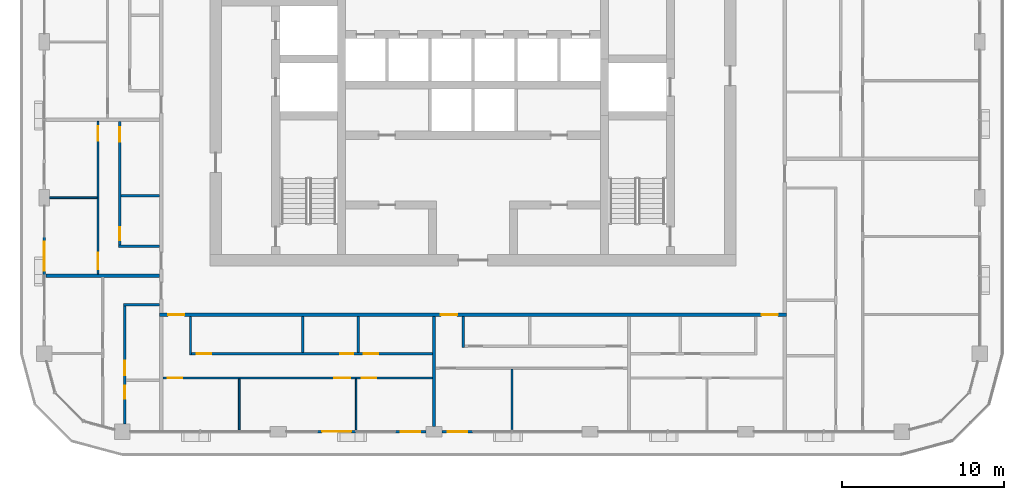
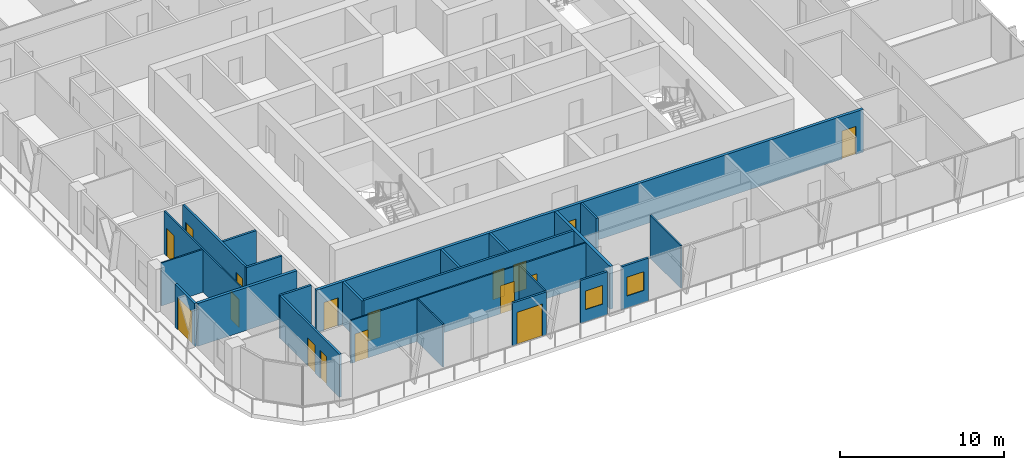
# One storey, part 9 of 22: 23 walls, 17 doors, 2 windows, 19 openings.
"""IFC4 building model written with IfcOpenShell, lengths in metres."""

import ifcopenshell
import ifcopenshell.guid

model = None  # the IFC model being written
_history = None  # IfcOwnerHistory: only IFC2X3 demands one
_inside = {}  # id of a spatial element -> (the spatial element, [elements in it])
_under = {}  # id of a project, library or spatial element -> (it, [spatial elements below it])
_declared = {}  # id of a project -> (the project, [libraries it declares])
_typed = {}  # id of a type object -> (the type object, [elements of that type])
_made_of = {}  # id of a material, layer set ... -> (it, [elements and type objects made of it])


def new_model(schema):
    """Start an empty IFC model of exactly this schema.

    Asked for "IFC4X3", IfcOpenShell would pick the latest addendum, in which some entities
    have other attributes; the version numbers below select the first issue.
    IFC2X3 requires an IfcOwnerHistory on every rooted entity: one is made here for all.
    """
    global model, _history
    if schema == "IFC4X3":
        model = ifcopenshell.file(schema_version=(4, 3, 0, 0))
    else:
        model = ifcopenshell.file(schema=schema)
    _inside.clear()
    _under.clear()
    _declared.clear()
    _typed.clear()
    _made_of.clear()
    _history = None
    if model.schema == "IFC2X3":
        org = make("IfcOrganization", Name="unknown")
        user = make(
            "IfcPersonAndOrganization",
            ThePerson=make("IfcPerson", FamilyName="unknown"),
            TheOrganization=org,
        )
        app = make(
            "IfcApplication",
            ApplicationDeveloper=org,
            Version="unknown",
            ApplicationFullName="unknown",
            ApplicationIdentifier="unknown",
        )
        _history = make(
            "IfcOwnerHistory",
            OwningUser=user,
            OwningApplication=app,
            ChangeAction="ADDED",
            CreationDate=0,
        )
    return model


def make(cls, **values):
    """One entity of the class cls with the attributes given. An attribute that is None is left unset."""
    return model.create_entity(
        cls, **{name: value for name, value in values.items() if value is not None}
    )


def rooted(cls, **values):
    """An entity with a GlobalId (a new one), such as an element, a storey or a relation."""
    return make(cls, GlobalId=ifcopenshell.guid.new(), OwnerHistory=_history, **values)


def si_unit(unit_type, name, prefix=None):
    """IfcSIUnit, for example si_unit("LENGTHUNIT", "METRE", prefix="MILLI")."""
    return make("IfcSIUnit", UnitType=unit_type, Prefix=prefix, Name=name)


def assignment(units):
    """IfcUnitAssignment: the units of a project."""
    return None if units is None else make("IfcUnitAssignment", Units=units)


def point(xyz):
    """IfcCartesianPoint."""
    return None if xyz is None else make("IfcCartesianPoint", Coordinates=xyz)


def direction(xyz):
    """IfcDirection."""
    return None if xyz is None else make("IfcDirection", DirectionRatios=xyz)


def frame(location, z_axis=None, x_axis=None):
    """IfcAxis2Placement3D, a coordinate frame: its origin and axes. An axis left out is left unset."""
    return make(
        "IfcAxis2Placement3D",
        Location=point(location),
        Axis=direction(z_axis),
        RefDirection=direction(x_axis),
    )


def frame_2d(location, x_axis=None):
    """IfcAxis2Placement2D, a coordinate frame in the plane: its origin and x axis."""
    return make(
        "IfcAxis2Placement2D", Location=point(location), RefDirection=direction(x_axis)
    )


def origin():
    """The frame at (0, 0, 0) with its axes left unset."""
    return frame((0.0, 0.0, 0.0))


def place(relative_to, where):
    """IfcLocalPlacement: puts the frame where relative to a parent placement (None: the world)."""
    return make(
        "IfcLocalPlacement", PlacementRelTo=relative_to, RelativePlacement=where
    )


def context(
    kind, dimensions, precision=None, world=None, true_north=None, identifier=None
):
    """IfcGeometricRepresentationContext, for example the 3D "Model" context."""
    return make(
        "IfcGeometricRepresentationContext",
        ContextIdentifier=identifier,
        ContextType=kind,
        CoordinateSpaceDimension=dimensions,
        Precision=precision,
        WorldCoordinateSystem=world,
        TrueNorth=true_north,
    )


def subcontext(parent, identifier, kind, view, scale=None):
    """IfcGeometricRepresentationSubContext, for example "Body" below "Model"."""
    return make(
        "IfcGeometricRepresentationSubContext",
        ContextIdentifier=identifier,
        ContextType=kind,
        ParentContext=parent,
        TargetScale=scale,
        TargetView=view,
    )


def project(units=None, contexts=None):
    """IfcProject with its units and contexts."""
    return rooted(
        "IfcProject",
        Name="project",
        RepresentationContexts=contexts,
        UnitsInContext=assignment(units),
    )


def spatial(cls, under=None, at=None, **own):
    """A site, building, storey or space (cls), placed at a placement, below another one or the project."""
    s = rooted(cls, ObjectPlacement=at, **own)
    if under is not None:
        _under.setdefault(under.id(), (under, []))[1].append(s)
    return s


def profile(cls, at=None, kind="AREA", **sizes):
    """A parametric profile (cls). Its sizes go by their IFC names, for example OverallWidth=200.0."""
    return make(cls, ProfileType=kind, Position=at, **sizes)


def rectangle(**sizes):
    """IfcRectangleProfileDef."""
    return profile("IfcRectangleProfileDef", **sizes)


def extrude(swept, where, along, depth):
    """IfcExtrudedAreaSolid: the profile swept, set in the frame where, extruded along a direction by depth."""
    return make(
        "IfcExtrudedAreaSolid",
        SweptArea=swept,
        Position=where,
        ExtrudedDirection=direction(along),
        Depth=depth,
    )


def shape(context_of_items, identifier, shape_type, items):
    """IfcShapeRepresentation: the items that make up one representation, for example the "Body"."""
    return make(
        "IfcShapeRepresentation",
        ContextOfItems=context_of_items,
        RepresentationIdentifier=identifier,
        RepresentationType=shape_type,
        Items=items,
    )


def material(Name=None, Category=None):
    """IfcMaterial."""
    return make("IfcMaterial", Name=Name, Category=Category)


def layer(
    of_material, thickness, ventilated=None, Name=None, Category=None, Priority=None
):
    """IfcMaterialLayer: one layer of a wall or slab, of a material (None: an air gap)."""
    return make(
        "IfcMaterialLayer",
        Material=of_material,
        LayerThickness=thickness,
        IsVentilated=ventilated,
        Name=Name,
        Category=Category,
        Priority=Priority,
    )


def layer_set(layers, Name=None):
    """IfcMaterialLayerSet."""
    return make("IfcMaterialLayerSet", MaterialLayers=layers, LayerSetName=Name)


def made_of(thing, what):
    """Note that an element or type object is made of a material, layer set ...; save() writes the relation."""
    if what is not None:
        _made_of.setdefault(what.id(), (what, []))[1].append(thing)
    return thing


def type_object(cls, material=None, **own):
    """A type object (cls), such as IfcWallType, which elements share."""
    return made_of(rooted(cls, **own), material)


def element(
    cls,
    number,
    at=None,
    inside=None,
    cuts=None,
    type_object=None,
    material=None,
    context=None,
    identifier="Body",
    shape_type=None,
    held_by="IfcProductDefinitionShape",
    body=None,
    shapes=None,
    **own,
):
    """One element of the class cls, such as IfcWall. Its Tag is "e" and its number.

    at: its placement. inside: the storey or other place that contains it. cuts: it is an
    opening in that element (IfcRelVoidsElement). A single representation is given by context,
    identifier, shape_type and body (its items); several are given by shapes. held_by: the class
    of the entity that holds the representations. save() writes the other relations.
    """
    e = rooted(cls, Tag="e%d" % number, ObjectPlacement=at, **own)
    if body is not None:
        shapes = [shape(context, identifier, shape_type, body)]
    if shapes is not None:
        e.Representation = make(held_by, Representations=shapes)
    if inside is not None:
        _inside.setdefault(inside.id(), (inside, []))[1].append(e)
    if cuts is not None:
        rooted(
            "IfcRelVoidsElement", RelatingBuildingElement=cuts, RelatedOpeningElement=e
        )
    if type_object is not None:
        _typed.setdefault(type_object.id(), (type_object, []))[1].append(e)
    return made_of(e, material)


def fill(opening, filler):
    """IfcRelFillsElement: the door or window that sits in an opening."""
    return rooted(
        "IfcRelFillsElement",
        RelatingOpeningElement=opening,
        RelatedBuildingElement=filler,
    )


def aggregate(whole, parts):
    """IfcRelAggregates: a whole, such as a stair, and the parts it consists of."""
    return rooted("IfcRelAggregates", RelatingObject=whole, RelatedObjects=parts)


def save(model, path):
    """Write the relations noted so far, then the file.

    IfcRelAggregates (storeys below a building ...), IfcRelContainedInSpatialStructure (elements
    in a storey), IfcRelDefinesByType, IfcRelAssociatesMaterial and IfcRelDeclares: one each for
    every whole, place, type object, material and project.
    """
    for whole, parts in _under.values():
        aggregate(whole, parts)
    for where, things in _inside.values():
        rooted(
            "IfcRelContainedInSpatialStructure",
            RelatedElements=things,
            RelatingStructure=where,
        )
    for kind, things in _typed.values():
        rooted("IfcRelDefinesByType", RelatedObjects=things, RelatingType=kind)
    for what, things in _made_of.values():
        rooted("IfcRelAssociatesMaterial", RelatedObjects=things, RelatingMaterial=what)
    for by, libraries in _declared.values():
        rooted("IfcRelDeclares", RelatingContext=by, RelatedDefinitions=libraries)
    model.write(path)


model = new_model("IFC4")

# Units and contexts
model_context = context("Model", 3, precision=1e-05, world=origin(), true_north=direction((0.0, 1.0)))
body_context = subcontext(model_context, "Body", "Model", "MODEL_VIEW")
ifc_project = project(units=[si_unit("LENGTHUNIT", "METRE"), si_unit("AREAUNIT", "SQUARE_METRE"), si_unit("VOLUMEUNIT", "CUBIC_METRE"), si_unit("PLANEANGLEUNIT", "RADIAN"), si_unit("MASSUNIT", "GRAM", prefix="KILO")], contexts=[model_context])

# Site, building, storey
site_placement = place(None, origin())
site = spatial("IfcSite", under=ifc_project, at=site_placement, CompositionType="ELEMENT")
building_placement = place(site_placement, origin())
building = spatial("IfcBuilding", under=site, at=building_placement, Name="Madar Terraces", CompositionType="ELEMENT")
storey_placement = place(building_placement, frame((0.0, 0.0, 208.800048828125)))
storey = spatial("IfcBuildingStorey", under=building, at=storey_placement, Name="L54", CompositionType="ELEMENT", Elevation=208.800048828125)

# Wall, opening, door
ifc_material_1 = material(Name="Aluminium composite panel, black, over insulated backing", Category="aluminium")
ifc_layer_1 = layer(ifc_material_1, 0.14990234375)
ifc_layer_set_1 = layer_set([ifc_layer_1], Name="Facade bay panel 150")
wall_type_1 = type_object("IfcWallType", Name="Facade bay panel 150", PredefinedType="SOLIDWALL", material=ifc_layer_set_1)
wall_1_placement = place(storey_placement, frame((21.60009765625, 4.800048828125, 0.0), z_axis=(0.0, 0.0, 1.0), x_axis=(1.0, 0.0, 0.0)))
wall_1 = element("IfcWall", 1, at=wall_1_placement, inside=storey, type_object=wall_type_1, Name="Facade bay panel", PredefinedType="SOLIDWALL", context=body_context, shape_type="SweptSolid", body=[
    extrude(rectangle(XDim=2.39990234375, YDim=0.14990234375, at=frame_2d((1.199951171875, 0.0))), origin(), (0.0, 0.0, 1.0), 3.199951171875),
])
opening_1_placement = place(wall_1_placement, frame((0.300048828125, 0.0, 0.0)))
opening_1 = element("IfcOpeningElement", 2, at=opening_1_placement, cuts=wall_1, Name="Opening ED1", PredefinedType="OPENING", context=body_context, shape_type="SweptSolid", body=[
    extrude(rectangle(XDim=1.800048828125, YDim=2.39990234375, at=frame_2d((0.89990234375, 1.199951171875))), frame((0.0, 0.0849609375, 0.0), z_axis=(0.0, -1.0, 0.0), x_axis=(1.0, 0.0, 0.0)), (0.0, 0.0, 1.0), 0.169921875),
])
ifc_material_2 = material(Name="Glass, clear, with black aluminium frame", Category="aluminium")
door_type_1 = type_object("IfcDoorType", Name="Balcony and terrace sliding door 1800 x 2400", OperationType="SLIDING_TO_LEFT", PredefinedType="DOOR", material=ifc_material_2)
door_1_placement = place(opening_1_placement, origin())
door_1 = element("IfcDoor", 3, at=door_1_placement, inside=storey, type_object=door_type_1, Name="Balcony door", OperationType="SLIDING_TO_LEFT", OverallHeight=2.39990234375, OverallWidth=1.800048828125, PredefinedType="DOOR", context=body_context, shape_type="SweptSolid", body=[
    extrude(rectangle(XDim=1.800048828125, YDim=2.39990234375, at=frame_2d((0.89990234375, 1.199951171875))), frame((0.0, 0.02490234375, 0.0), z_axis=(0.0, -1.0, 0.0), x_axis=(1.0, 0.0, 0.0)), (0.0, 0.0, 1.0), 0.050048828125),
])
fill(opening_1, door_1)

# Wall, opening, window
wall_2_placement = place(storey_placement, frame((26.39990234375, 4.800048828125, 0.0), z_axis=(0.0, 0.0, 1.0), x_axis=(1.0, 0.0, 0.0)))
wall_2 = element("IfcWall", 4, at=wall_2_placement, inside=storey, type_object=wall_type_1, Name="Facade bay panel", PredefinedType="SOLIDWALL", context=body_context, shape_type="SweptSolid", body=[
    extrude(rectangle(XDim=1.900146484375, YDim=0.14990234375, at=frame_2d((0.9501953125, 0.0))), origin(), (0.0, 0.0, 1.0), 3.199951171875),
])
opening_2_placement = place(wall_2_placement, frame((0.35009765625, 0.0, 0.89990234375)))
opening_2 = element("IfcOpeningElement", 5, at=opening_2_placement, cuts=wall_2, Name="Opening W1", PredefinedType="OPENING", context=body_context, shape_type="SweptSolid", body=[
    extrude(rectangle(XDim=1.199951171875, YDim=1.39990234375, at=frame_2d((0.60009765625, 0.699951171875))), frame((0.0, 0.0849609375, 0.0), z_axis=(0.0, -1.0, 0.0), x_axis=(1.0, 0.0, 0.0)), (0.0, 0.0, 1.0), 0.169921875),
])
ifc_material_3 = material(Name="Glass, clear, with black aluminium frame", Category="aluminium")
window_type = type_object("IfcWindowType", Name="Vent window 1200 x 1400", PartitioningType="SINGLE_PANEL", PredefinedType="WINDOW", material=ifc_material_3)
window_1_placement = place(opening_2_placement, origin())
window_1 = element("IfcWindow", 6, at=window_1_placement, inside=storey, type_object=window_type, Name="Operable vent window", OverallHeight=1.39990234375, OverallWidth=1.199951171875, PartitioningType="SINGLE_PANEL", PredefinedType="WINDOW", context=body_context, shape_type="SweptSolid", body=[
    extrude(rectangle(XDim=1.199951171875, YDim=1.39990234375, at=frame_2d((0.60009765625, 0.699951171875))), frame((0.0, 0.030029296875, 0.0), z_axis=(0.0, -1.0, 0.0), x_axis=(1.0, 0.0, 0.0)), (0.0, 0.0, 1.0), 0.06005859375),
])
fill(opening_2, window_1)

wall_3_placement = place(storey_placement, frame((29.300048828125, 4.800048828125, 0.0), z_axis=(0.0, 0.0, 1.0), x_axis=(1.0, 0.0, 0.0)))
wall_3 = element("IfcWall", 7, at=wall_3_placement, inside=storey, type_object=wall_type_1, Name="Facade bay panel", PredefinedType="SOLIDWALL", context=body_context, shape_type="SweptSolid", body=[
    extrude(rectangle(XDim=1.89990234375, YDim=0.14990234375, at=frame_2d((0.949951171875, 0.0))), origin(), (0.0, 0.0, 1.0), 3.199951171875),
])
opening_3_placement = place(wall_3_placement, frame((0.35009765625, 0.0, 0.89990234375)))
opening_3 = element("IfcOpeningElement", 8, at=opening_3_placement, cuts=wall_3, Name="Opening W1", PredefinedType="OPENING", context=body_context, shape_type="SweptSolid", body=[
    extrude(rectangle(XDim=1.199951171875, YDim=1.39990234375, at=frame_2d((0.60009765625, 0.699951171875))), frame((0.0, 0.0849609375, 0.0), z_axis=(0.0, -1.0, 0.0), x_axis=(1.0, 0.0, 0.0)), (0.0, 0.0, 1.0), 0.169921875),
])
window_2_placement = place(opening_3_placement, origin())
window_2 = element("IfcWindow", 9, at=window_2_placement, inside=storey, type_object=window_type, Name="Operable vent window", OverallHeight=1.39990234375, OverallWidth=1.199951171875, PartitioningType="SINGLE_PANEL", PredefinedType="WINDOW", context=body_context, shape_type="SweptSolid", body=[
    extrude(rectangle(XDim=1.199951171875, YDim=1.39990234375, at=frame_2d((0.60009765625, 0.699951171875))), frame((0.0, 0.030029296875, 0.0), z_axis=(0.0, -1.0, 0.0), x_axis=(1.0, 0.0, 0.0)), (0.0, 0.0, 1.0), 0.06005859375),
])
fill(opening_3, window_2)

# Wall, opening, door
wall_4_placement = place(storey_placement, frame((4.800048828125, 16.800048828125, 0.0), z_axis=(0.0, 0.0, 1.0), x_axis=(0.0, -1.0, 0.0)))
wall_4 = element("IfcWall", 10, at=wall_4_placement, inside=storey, type_object=wall_type_1, Name="Facade bay panel", PredefinedType="SOLIDWALL", context=body_context, shape_type="SweptSolid", body=[
    extrude(rectangle(XDim=2.400146484375, YDim=0.14990234375, at=frame_2d((1.2001953125, 0.0))), origin(), (0.0, 0.0, 1.0), 3.199951171875),
])
opening_4_placement = place(wall_4_placement, frame((0.300048828125, 0.0, 0.0)))
opening_4 = element("IfcOpeningElement", 11, at=opening_4_placement, cuts=wall_4, Name="Opening ED1", PredefinedType="OPENING", context=body_context, shape_type="SweptSolid", body=[
    extrude(rectangle(XDim=1.800048828125, YDim=2.39990234375, at=frame_2d((0.89990234375, 1.199951171875))), frame((0.0, 0.0849609375, 0.0), z_axis=(0.0, -1.0, 0.0), x_axis=(1.0, 0.0, 0.0)), (0.0, 0.0, 1.0), 0.169921875),
])
door_2_placement = place(opening_4_placement, origin())
door_2 = element("IfcDoor", 12, at=door_2_placement, inside=storey, type_object=door_type_1, Name="Balcony door", OperationType="SLIDING_TO_RIGHT", OverallHeight=2.39990234375, OverallWidth=1.800048828125, PredefinedType="DOOR", context=body_context, shape_type="SweptSolid", body=[
    extrude(rectangle(XDim=1.800048828125, YDim=2.39990234375, at=frame_2d((0.89990234375, 1.199951171875))), frame((0.0, 0.02490234375, 0.0), z_axis=(0.0, -1.0, 0.0), x_axis=(1.0, 0.0, 0.0)), (0.0, 0.0, 1.0), 0.050048828125),
])
fill(opening_4, door_2)

# Walls
ifc_material_4 = material(Name="Gypsum board on steel studs", Category="steel")
ifc_layer_2 = layer(ifc_material_4, 0.10009765625)
ifc_layer_set_2 = layer_set([ifc_layer_2], Name="Flat partition 100")
wall_type_2 = type_object("IfcWallType", Name="Flat partition 100", PredefinedType="PARTITIONING", material=ifc_layer_set_2)
for number, where, z_axis, x_axis, name in (
    (13, (16.800048828125, 8.050048828125, 0.0), (0.0, 0.0, 1.0), (0.0, -1.0, 0.0), "Flat partition 100"),
    (14, (24.0, 8.050048828125, 0.0), (0.0, 0.0, 1.0), (0.0, -1.0, 0.0), "Flat partition 100"),
):
    element("IfcWall", number, at=place(storey_placement, frame(where, z_axis=z_axis, x_axis=x_axis)), inside=storey, type_object=wall_type_2, Name=name, PredefinedType="PARTITIONING", context=body_context, shape_type="SweptSolid", body=[
        extrude(rectangle(XDim=3.150146484375, YDim=0.10009765625, at=frame_2d((1.5751953125, 0.0))), origin(), (0.0, 0.0, 1.0), 3.199951171875),
    ])

# Wall, openings, doors
wall_5_placement = place(storey_placement, frame((28.699951171875, 8.10009765625, 0.0), z_axis=(0.0, 0.0, 1.0), x_axis=(-1.0, 0.0, 0.0)))
wall_5 = element("IfcWall", 15, at=wall_5_placement, inside=storey, type_object=wall_type_2, Name="Flat partition 100", PredefinedType="PARTITIONING", context=body_context, shape_type="SweptSolid", body=[
    extrude(rectangle(XDim=16.599853515625, YDim=0.10009765625, at=frame_2d((8.2998046875, 0.0))), origin(), (0.0, 0.0, 1.0), 3.199951171875),
])
opening_5_placement = place(wall_5_placement, frame((15.39990234375, 0.0, 0.0)))
opening_5 = element("IfcOpeningElement", 16, at=opening_5_placement, cuts=wall_5, Name="Opening D2", PredefinedType="OPENING", context=body_context, shape_type="SweptSolid", body=[
    extrude(rectangle(XDim=0.89990234375, YDim=2.10009765625, at=frame_2d((0.449951171875, 1.050048828125))), frame((0.0, 0.06005859375, 0.0), z_axis=(0.0, -1.0, 0.0), x_axis=(1.0, 0.0, 0.0)), (0.0, 0.0, 1.0), 0.1201171875),
])
opening_6_placement = place(wall_5_placement, frame((5.050048828125, 0.0, 0.0)))
opening_6 = element("IfcOpeningElement", 17, at=opening_6_placement, cuts=wall_5, Name="Opening D3", PredefinedType="OPENING", context=body_context, shape_type="SweptSolid", body=[
    extrude(rectangle(XDim=1.0, YDim=2.10009765625, at=frame_2d((0.5, 1.050048828125))), frame((0.0, 0.06005859375, 0.0), z_axis=(0.0, -1.0, 0.0), x_axis=(1.0, 0.0, 0.0)), (0.0, 0.0, 1.0), 0.1201171875),
])
opening_7_placement = place(wall_5_placement, frame((3.449951171875, 0.0, 0.0)))
opening_7 = element("IfcOpeningElement", 18, at=opening_7_placement, cuts=wall_5, Name="Opening D2", PredefinedType="OPENING", context=body_context, shape_type="SweptSolid", body=[
    extrude(rectangle(XDim=0.89990234375, YDim=2.10009765625, at=frame_2d((0.449951171875, 1.050048828125))), frame((0.0, 0.06005859375, 0.0), z_axis=(0.0, -1.0, 0.0), x_axis=(1.0, 0.0, 0.0)), (0.0, 0.0, 1.0), 0.1201171875),
])
ifc_material_5 = material(Name="Timber door leaf", Category="wood")
door_type_2 = type_object("IfcDoorType", Name="Flat living room door 1000", OperationType="NOTDEFINED", PredefinedType="DOOR", material=ifc_material_5)
door_3_placement = place(opening_6_placement, origin())
door_3 = element("IfcDoor", 19, at=door_3_placement, inside=storey, type_object=door_type_2, Name="Flat living room door 1000", OperationType="SINGLE_SWING_LEFT", OverallHeight=2.10009765625, OverallWidth=1.0, PredefinedType="DOOR", context=body_context, shape_type="SweptSolid", body=[
    extrude(rectangle(XDim=1.0, YDim=2.10009765625, at=frame_2d((0.5, 1.050048828125))), frame((0.0, 0.02490234375, 0.0), z_axis=(0.0, -1.0, 0.0), x_axis=(1.0, 0.0, 0.0)), (0.0, 0.0, 1.0), 0.050048828125),
])
fill(opening_6, door_3)
ifc_material_6 = material(Name="Timber door leaf", Category="wood")
door_type_3 = type_object("IfcDoorType", Name="Flat room door 900", OperationType="NOTDEFINED", PredefinedType="DOOR", material=ifc_material_6)
door_4_placement = place(opening_5_placement, origin())
door_4 = element("IfcDoor", 20, at=door_4_placement, inside=storey, type_object=door_type_3, Name="Flat room door 900", OperationType="SINGLE_SWING_RIGHT", OverallHeight=2.10009765625, OverallWidth=0.89990234375, PredefinedType="DOOR", context=body_context, shape_type="SweptSolid", body=[
    extrude(rectangle(XDim=0.89990234375, YDim=2.10009765625, at=frame_2d((0.449951171875, 1.050048828125))), frame((0.0, 0.02490234375, 0.0), z_axis=(0.0, -1.0, 0.0), x_axis=(1.0, 0.0, 0.0)), (0.0, 0.0, 1.0), 0.050048828125),
])
fill(opening_5, door_4)
door_5_placement = place(opening_7_placement, origin())
door_5 = element("IfcDoor", 21, at=door_5_placement, inside=storey, type_object=door_type_3, Name="Flat room door 900", OperationType="SINGLE_SWING_RIGHT", OverallHeight=2.10009765625, OverallWidth=0.89990234375, PredefinedType="DOOR", context=body_context, shape_type="SweptSolid", body=[
    extrude(rectangle(XDim=0.89990234375, YDim=2.10009765625, at=frame_2d((0.449951171875, 1.050048828125))), frame((0.0, 0.02490234375, 0.0), z_axis=(0.0, -1.0, 0.0), x_axis=(1.0, 0.0, 0.0)), (0.0, 0.0, 1.0), 0.050048828125),
])
fill(opening_7, door_5)

# Walls
wall_6_placement = place(storey_placement, frame((33.60009765625, 8.64990234375, 0.0), z_axis=(0.0, 0.0, 1.0), x_axis=(0.0, -1.0, 0.0)))
element("IfcWall", 22, at=wall_6_placement, inside=storey, type_object=wall_type_2, Name="Flat partition 100", PredefinedType="PARTITIONING", context=body_context, shape_type="SweptSolid", body=[
    extrude(rectangle(XDim=3.75, YDim=0.10009765625, at=frame_2d((1.875, 0.0))), origin(), (0.0, 0.0, 1.0), 3.199951171875),
])
wall_7_placement = place(storey_placement, frame((8.050048828125, 19.199951171875, 0.0), z_axis=(0.0, 0.0, 1.0), x_axis=(-1.0, 0.0, 0.0)))
element("IfcWall", 23, at=wall_7_placement, inside=storey, type_object=wall_type_2, Name="Flat partition 100", PredefinedType="PARTITIONING", context=body_context, shape_type="SweptSolid", body=[
    extrude(rectangle(XDim=2.925048828125, YDim=0.10009765625, at=frame_2d((1.46240234375, 0.0))), origin(), (0.0, 0.0, 1.0), 3.199951171875),
])

# Wall, openings, doors
wall_8_placement = place(storey_placement, frame((8.10009765625, 14.5, 0.0), z_axis=(0.0, 0.0, 1.0), x_axis=(0.0, 1.0, 0.0)))
wall_8 = element("IfcWall", 24, at=wall_8_placement, inside=storey, type_object=wall_type_2, Name="Flat partition 100", PredefinedType="PARTITIONING", context=body_context, shape_type="SweptSolid", body=[
    extrude(rectangle(XDim=9.39990234375, YDim=0.10009765625, at=frame_2d((4.699951171875, 0.0))), origin(), (0.0, 0.0, 1.0), 3.199951171875),
])
opening_8_placement = place(wall_8_placement, frame((0.300048828125, 0.0, 0.0)))
opening_8 = element("IfcOpeningElement", 25, at=opening_8_placement, cuts=wall_8, Name="Opening D3", PredefinedType="OPENING", context=body_context, shape_type="SweptSolid", body=[
    extrude(rectangle(XDim=1.0, YDim=2.10009765625, at=frame_2d((0.5, 1.050048828125))), frame((0.0, 0.06005859375, 0.0), z_axis=(0.0, -1.0, 0.0), x_axis=(1.0, 0.0, 0.0)), (0.0, 0.0, 1.0), 0.1201171875),
])
opening_9_placement = place(wall_8_placement, frame((8.199951171875, 0.0, 0.0)))
opening_9 = element("IfcOpeningElement", 26, at=opening_9_placement, cuts=wall_8, Name="Opening D2", PredefinedType="OPENING", context=body_context, shape_type="SweptSolid", body=[
    extrude(rectangle(XDim=0.89990234375, YDim=2.10009765625, at=frame_2d((0.449951171875, 1.050048828125))), frame((0.0, 0.06005859375, 0.0), z_axis=(0.0, -1.0, 0.0), x_axis=(1.0, 0.0, 0.0)), (0.0, 0.0, 1.0), 0.1201171875),
])
door_6_placement = place(opening_8_placement, origin())
door_6 = element("IfcDoor", 27, at=door_6_placement, inside=storey, type_object=door_type_2, Name="Flat living room door 1000", OperationType="SINGLE_SWING_LEFT", OverallHeight=2.10009765625, OverallWidth=1.0, PredefinedType="DOOR", context=body_context, shape_type="SweptSolid", body=[
    extrude(rectangle(XDim=1.0, YDim=2.10009765625, at=frame_2d((0.5, 1.050048828125))), frame((0.0, 0.02490234375, 0.0), z_axis=(0.0, -1.0, 0.0), x_axis=(1.0, 0.0, 0.0)), (0.0, 0.0, 1.0), 0.050048828125),
])
fill(opening_8, door_6)
door_7_placement = place(opening_9_placement, origin())
door_7 = element("IfcDoor", 28, at=door_7_placement, inside=storey, type_object=door_type_3, Name="Flat room door 900", OperationType="SINGLE_SWING_RIGHT", OverallHeight=2.10009765625, OverallWidth=0.89990234375, PredefinedType="DOOR", context=body_context, shape_type="SweptSolid", body=[
    extrude(rectangle(XDim=0.89990234375, YDim=2.10009765625, at=frame_2d((0.449951171875, 1.050048828125))), frame((0.0, 0.02490234375, 0.0), z_axis=(0.0, -1.0, 0.0), x_axis=(1.0, 0.0, 0.0)), (0.0, 0.0, 1.0), 0.050048828125),
])
fill(opening_9, door_7)

ifc_material_7 = material(Name="Lightweight blockwork", Category="masonry")
ifc_layer_3 = layer(ifc_material_7, 0.199951171875)
ifc_layer_set_3 = layer_set([ifc_layer_3], Name="Flat party and entrance wall 200")
wall_type_3 = type_object("IfcWallType", Name="Flat party and entrance wall 200", PredefinedType="PARTITIONING", material=ifc_layer_set_3)
wall_9_placement = place(storey_placement, frame((50.5, 12.0, 0.0), z_axis=(0.0, 0.0, 1.0), x_axis=(-1.0, 0.0, 0.0)))
wall_9 = element("IfcWall", 29, at=wall_9_placement, inside=storey, type_object=wall_type_3, Name="Flat party and entrance wall 200", PredefinedType="PARTITIONING", context=body_context, shape_type="SweptSolid", body=[
    extrude(rectangle(XDim=38.60009765625, YDim=0.199951171875, at=frame_2d((19.300048828125, 0.0))), origin(), (0.0, 0.0, 1.0), 3.199951171875),
])
opening_10_placement = place(wall_9_placement, frame((37.074951171875, 0.0, 0.0)))
opening_10 = element("IfcOpeningElement", 30, at=opening_10_placement, cuts=wall_9, Name="Opening D1", PredefinedType="OPENING", context=body_context, shape_type="SweptSolid", body=[
    extrude(rectangle(XDim=1.0, YDim=2.10009765625, at=frame_2d((0.5, 1.050048828125))), frame((0.0, 0.10986328125, 0.0), z_axis=(0.0, -1.0, 0.0), x_axis=(1.0, 0.0, 0.0)), (0.0, 0.0, 1.0), 0.219970703125),
])
opening_11_placement = place(wall_9_placement, frame((20.27490234375, 0.0, 0.0)))
opening_11 = element("IfcOpeningElement", 31, at=opening_11_placement, cuts=wall_9, Name="Opening D1", PredefinedType="OPENING", context=body_context, shape_type="SweptSolid", body=[
    extrude(rectangle(XDim=1.0, YDim=2.10009765625, at=frame_2d((0.5, 1.050048828125))), frame((0.0, 0.10986328125, 0.0), z_axis=(0.0, -1.0, 0.0), x_axis=(1.0, 0.0, 0.0)), (0.0, 0.0, 1.0), 0.219970703125),
])
opening_12_placement = place(wall_9_placement, frame((0.52490234375, 0.0, 0.0)))
opening_12 = element("IfcOpeningElement", 32, at=opening_12_placement, cuts=wall_9, Name="Opening D1", PredefinedType="OPENING", context=body_context, shape_type="SweptSolid", body=[
    extrude(rectangle(XDim=1.0, YDim=2.10009765625, at=frame_2d((0.5, 1.050048828125))), frame((0.0, 0.10986328125, 0.0), z_axis=(0.0, -1.0, 0.0), x_axis=(1.0, 0.0, 0.0)), (0.0, 0.0, 1.0), 0.219970703125),
])
ifc_material_8 = material(Name="Timber fire door leaf", Category="wood")
door_type_4 = type_object("IfcDoorType", Name="Flat entrance door 1000 FD30S", OperationType="NOTDEFINED", PredefinedType="DOOR", material=ifc_material_8)
door_8_placement = place(opening_10_placement, origin())
door_8 = element("IfcDoor", 33, at=door_8_placement, inside=storey, type_object=door_type_4, Name="Flat entrance door 1000 FD30S", OperationType="SINGLE_SWING_RIGHT", OverallHeight=2.10009765625, OverallWidth=1.0, PredefinedType="DOOR", context=body_context, shape_type="SweptSolid", body=[
    extrude(rectangle(XDim=1.0, YDim=2.10009765625, at=frame_2d((0.5, 1.050048828125))), frame((0.0, 0.02490234375, 0.0), z_axis=(0.0, -1.0, 0.0), x_axis=(1.0, 0.0, 0.0)), (0.0, 0.0, 1.0), 0.050048828125),
])
fill(opening_10, door_8)
door_9_placement = place(opening_11_placement, origin())
door_9 = element("IfcDoor", 34, at=door_9_placement, inside=storey, type_object=door_type_4, Name="Flat entrance door 1000 FD30S", OperationType="SINGLE_SWING_RIGHT", OverallHeight=2.10009765625, OverallWidth=1.0, PredefinedType="DOOR", context=body_context, shape_type="SweptSolid", body=[
    extrude(rectangle(XDim=1.0, YDim=2.10009765625, at=frame_2d((0.5, 1.050048828125))), frame((0.0, 0.02490234375, 0.0), z_axis=(0.0, -1.0, 0.0), x_axis=(1.0, 0.0, 0.0)), (0.0, 0.0, 1.0), 0.050048828125),
])
fill(opening_11, door_9)
door_10_placement = place(opening_12_placement, origin())
door_10 = element("IfcDoor", 35, at=door_10_placement, inside=storey, type_object=door_type_4, Name="Flat entrance door 1000 FD30S", OperationType="SINGLE_SWING_LEFT", OverallHeight=2.10009765625, OverallWidth=1.0, PredefinedType="DOOR", context=body_context, shape_type="SweptSolid", body=[
    extrude(rectangle(XDim=1.0, YDim=2.10009765625, at=frame_2d((0.5, 1.050048828125))), frame((0.0, 0.02490234375, 0.0), z_axis=(0.0, -1.0, 0.0), x_axis=(1.0, 0.0, 0.0)), (0.0, 0.0, 1.0), 0.050048828125),
])
fill(opening_12, door_10)

# Walls
wall_10_placement = place(storey_placement, frame((28.800048828125, 11.89990234375, 0.0), z_axis=(0.0, 0.0, 1.0), x_axis=(0.0, -1.0, 0.0)))
element("IfcWall", 36, at=wall_10_placement, inside=storey, type_object=wall_type_3, Name="Flat party and entrance wall 200", PredefinedType="PARTITIONING", context=body_context, shape_type="SweptSolid", body=[
    extrude(rectangle(XDim=6.77490234375, YDim=0.199951171875, at=frame_2d((3.387451171875, 0.0))), origin(), (0.0, 0.0, 1.0), 3.199951171875),
])
wall_11_placement = place(storey_placement, frame((4.89990234375, 14.39990234375, 0.0), z_axis=(0.0, 0.0, 1.0), x_axis=(1.0, 0.0, 0.0)))
element("IfcWall", 37, at=wall_11_placement, inside=storey, type_object=wall_type_3, Name="Flat party and entrance wall 200", PredefinedType="PARTITIONING", context=body_context, shape_type="SweptSolid", body=[
    extrude(rectangle(XDim=7.0, YDim=0.199951171875, at=frame_2d((3.5, 0.0))), origin(), (0.0, 0.0, 1.0), 3.199951171875),
])
ifc_material_9 = material(Name="Lightweight blockwork", Category="masonry")
ifc_layer_4 = layer(ifc_material_9, 0.14990234375)
ifc_layer_set_4 = layer_set([ifc_layer_4], Name="Flat wet-room partition 150")
wall_type_4 = type_object("IfcWallType", Name="Flat wet-room partition 150", PredefinedType="PARTITIONING", material=ifc_layer_set_4)
for number, where, z_axis, x_axis, name in (
    (38, (20.71728515625, 11.89990234375, 0.0), (0.0, 0.0, 1.0), (0.0, -1.0, 0.0), "Flat wet-room partition 150"),
    (39, (24.138427734375, 11.89990234375, 0.0), (0.0, 0.0, 1.0), (0.0, -1.0, 0.0), "Flat wet-room partition 150"),
):
    element("IfcWall", number, at=place(storey_placement, frame(where, z_axis=z_axis, x_axis=x_axis)), inside=storey, type_object=wall_type_4, Name=name, PredefinedType="PARTITIONING", context=body_context, shape_type="SweptSolid", body=[
        extrude(rectangle(XDim=2.224853515625, YDim=0.14990234375, at=frame_2d((1.1123046875, 0.0))), origin(), (0.0, 0.0, 1.0), 3.199951171875),
    ])
wall_12_placement = place(storey_placement, frame((13.800048828125, 11.89990234375, 0.0), z_axis=(0.0, 0.0, 1.0), x_axis=(0.0, -1.0, 0.0)))
element("IfcWall", 40, at=wall_12_placement, inside=storey, type_object=wall_type_4, Name="Flat wet-room partition 150", PredefinedType="PARTITIONING", context=body_context, shape_type="SweptSolid", body=[
    extrude(rectangle(XDim=2.375, YDim=0.14990234375, at=frame_2d((1.1875, 0.0))), origin(), (0.0, 0.0, 1.0), 3.199951171875),
])

# Wall, openings, doors
wall_13_placement = place(storey_placement, frame((13.875, 9.60009765625, 0.0), z_axis=(0.0, 0.0, 1.0), x_axis=(1.0, 0.0, 0.0)))
wall_13 = element("IfcWall", 41, at=wall_13_placement, inside=storey, type_object=wall_type_4, Name="Flat wet-room partition 150", PredefinedType="PARTITIONING", context=body_context, shape_type="SweptSolid", body=[
    extrude(rectangle(XDim=14.824951171875, YDim=0.14990234375, at=frame_2d((7.41259765625, 0.0))), origin(), (0.0, 0.0, 1.0), 3.199951171875),
])
opening_13_placement = place(wall_13_placement, frame((0.300048828125, 0.0, 0.0)))
opening_13 = element("IfcOpeningElement", 42, at=opening_13_placement, cuts=wall_13, Name="Opening D2", PredefinedType="OPENING", context=body_context, shape_type="SweptSolid", body=[
    extrude(rectangle(XDim=0.89990234375, YDim=2.10009765625, at=frame_2d((0.449951171875, 1.050048828125))), frame((0.0, 0.0849609375, 0.0), z_axis=(0.0, -1.0, 0.0), x_axis=(1.0, 0.0, 0.0)), (0.0, 0.0, 1.0), 0.169921875),
])
opening_14_placement = place(wall_13_placement, frame((9.138427734375, 0.0, 0.0)))
opening_14 = element("IfcOpeningElement", 43, at=opening_14_placement, cuts=wall_13, Name="Opening D4", PredefinedType="OPENING", context=body_context, shape_type="SweptSolid", body=[
    extrude(rectangle(XDim=0.800048828125, YDim=2.10009765625, at=frame_2d((0.39990234375, 1.050048828125))), frame((0.0, 0.0849609375, 0.0), z_axis=(0.0, -1.0, 0.0), x_axis=(1.0, 0.0, 0.0)), (0.0, 0.0, 1.0), 0.169921875),
])
opening_15_placement = place(wall_13_placement, frame((10.58837890625, 0.0, 0.0)))
opening_15 = element("IfcOpeningElement", 44, at=opening_15_placement, cuts=wall_13, Name="Opening D5", PredefinedType="OPENING", context=body_context, shape_type="SweptSolid", body=[
    extrude(rectangle(XDim=0.89990234375, YDim=2.10009765625, at=frame_2d((0.449951171875, 1.050048828125))), frame((0.0, 0.0849609375, 0.0), z_axis=(0.0, -1.0, 0.0), x_axis=(1.0, 0.0, 0.0)), (0.0, 0.0, 1.0), 0.169921875),
])
ifc_material_10 = material(Name="Timber door leaf", Category="wood")
door_type_5 = type_object("IfcDoorType", Name="Flat accessible bathroom door 900", OperationType="NOTDEFINED", PredefinedType="DOOR", material=ifc_material_10)
door_11_placement = place(opening_15_placement, origin())
door_11 = element("IfcDoor", 45, at=door_11_placement, inside=storey, type_object=door_type_5, Name="Flat accessible bathroom door 900", OperationType="SINGLE_SWING_LEFT", OverallHeight=2.10009765625, OverallWidth=0.89990234375, PredefinedType="DOOR", context=body_context, shape_type="SweptSolid", body=[
    extrude(rectangle(XDim=0.89990234375, YDim=2.10009765625, at=frame_2d((0.449951171875, 1.050048828125))), frame((0.0, 0.02490234375, 0.0), z_axis=(0.0, -1.0, 0.0), x_axis=(1.0, 0.0, 0.0)), (0.0, 0.0, 1.0), 0.050048828125),
])
fill(opening_15, door_11)
ifc_material_11 = material(Name="Timber door leaf", Category="wood")
door_type_6 = type_object("IfcDoorType", Name="Flat bathroom door 800", OperationType="NOTDEFINED", PredefinedType="DOOR", material=ifc_material_11)
door_12_placement = place(opening_14_placement, origin())
door_12 = element("IfcDoor", 46, at=door_12_placement, inside=storey, type_object=door_type_6, Name="Flat bathroom door 800", OperationType="SINGLE_SWING_RIGHT", OverallHeight=2.10009765625, OverallWidth=0.800048828125, PredefinedType="DOOR", context=body_context, shape_type="SweptSolid", body=[
    extrude(rectangle(XDim=0.800048828125, YDim=2.10009765625, at=frame_2d((0.39990234375, 1.050048828125))), frame((0.0, 0.02490234375, 0.0), z_axis=(0.0, -1.0, 0.0), x_axis=(1.0, 0.0, 0.0)), (0.0, 0.0, 1.0), 0.050048828125),
])
fill(opening_14, door_12)
door_13_placement = place(opening_13_placement, origin())
door_13 = element("IfcDoor", 47, at=door_13_placement, inside=storey, type_object=door_type_3, Name="Flat room door 900", OperationType="SINGLE_SWING_LEFT", OverallHeight=2.10009765625, OverallWidth=0.89990234375, PredefinedType="DOOR", context=body_context, shape_type="SweptSolid", body=[
    extrude(rectangle(XDim=0.89990234375, YDim=2.10009765625, at=frame_2d((0.449951171875, 1.050048828125))), frame((0.0, 0.02490234375, 0.0), z_axis=(0.0, -1.0, 0.0), x_axis=(1.0, 0.0, 0.0)), (0.0, 0.0, 1.0), 0.050048828125),
])
fill(opening_13, door_13)

# Walls
wall_14_placement = place(storey_placement, frame((30.60009765625, 11.89990234375, 0.0), z_axis=(0.0, 0.0, 1.0), x_axis=(0.0, -1.0, 0.0)))
element("IfcWall", 48, at=wall_14_placement, inside=storey, type_object=wall_type_4, Name="Flat wet-room partition 150", PredefinedType="PARTITIONING", context=body_context, shape_type="SweptSolid", body=[
    extrude(rectangle(XDim=1.9248046875, YDim=0.14990234375, at=frame_2d((0.96240234375, 0.0))), origin(), (0.0, 0.0, 1.0), 3.199951171875),
])
wall_15_placement = place(storey_placement, frame((11.89990234375, 19.324951171875, 0.0), z_axis=(0.0, 0.0, 1.0), x_axis=(-1.0, 0.0, 0.0)))
element("IfcWall", 49, at=wall_15_placement, inside=storey, type_object=wall_type_4, Name="Flat wet-room partition 150", PredefinedType="PARTITIONING", context=body_context, shape_type="SweptSolid", body=[
    extrude(rectangle(XDim=2.375, YDim=0.14990234375, at=frame_2d((1.1875, 0.0))), origin(), (0.0, 0.0, 1.0), 3.199951171875),
])
wall_16_placement = place(storey_placement, frame((11.89990234375, 16.199951171875, 0.0), z_axis=(0.0, 0.0, 1.0), x_axis=(-1.0, 0.0, 0.0)))
element("IfcWall", 50, at=wall_16_placement, inside=storey, type_object=wall_type_4, Name="Flat wet-room partition 150", PredefinedType="PARTITIONING", context=body_context, shape_type="SweptSolid", body=[
    extrude(rectangle(XDim=2.52490234375, YDim=0.14990234375, at=frame_2d((1.262451171875, 0.0))), origin(), (0.0, 0.0, 1.0), 3.199951171875),
])

# Wall, openings, doors
wall_17_placement = place(storey_placement, frame((9.449951171875, 23.89990234375, 0.0), z_axis=(0.0, 0.0, 1.0), x_axis=(0.0, -1.0, 0.0)))
wall_17 = element("IfcWall", 51, at=wall_17_placement, inside=storey, type_object=wall_type_4, Name="Flat wet-room partition 150", PredefinedType="PARTITIONING", context=body_context, shape_type="SweptSolid", body=[
    extrude(rectangle(XDim=7.625, YDim=0.14990234375, at=frame_2d((3.8125, 0.0))), origin(), (0.0, 0.0, 1.0), 3.199951171875),
])
opening_16_placement = place(wall_17_placement, frame((6.52490234375, 0.0, 0.0)))
opening_16 = element("IfcOpeningElement", 52, at=opening_16_placement, cuts=wall_17, Name="Opening D4", PredefinedType="OPENING", context=body_context, shape_type="SweptSolid", body=[
    extrude(rectangle(XDim=0.800048828125, YDim=2.10009765625, at=frame_2d((0.39990234375, 1.050048828125))), frame((0.0, 0.0849609375, 0.0), z_axis=(0.0, -1.0, 0.0), x_axis=(1.0, 0.0, 0.0)), (0.0, 0.0, 1.0), 0.169921875),
])
opening_17_placement = place(wall_17_placement, frame((0.35009765625, 0.0, 0.0)))
opening_17 = element("IfcOpeningElement", 53, at=opening_17_placement, cuts=wall_17, Name="Opening D2", PredefinedType="OPENING", context=body_context, shape_type="SweptSolid", body=[
    extrude(rectangle(XDim=0.89990234375, YDim=2.10009765625, at=frame_2d((0.449951171875, 1.050048828125))), frame((0.0, 0.0849609375, 0.0), z_axis=(0.0, -1.0, 0.0), x_axis=(1.0, 0.0, 0.0)), (0.0, 0.0, 1.0), 0.169921875),
])
door_14_placement = place(opening_16_placement, origin())
door_14 = element("IfcDoor", 54, at=door_14_placement, inside=storey, type_object=door_type_6, Name="Flat bathroom door 800", OperationType="SINGLE_SWING_RIGHT", OverallHeight=2.10009765625, OverallWidth=0.800048828125, PredefinedType="DOOR", context=body_context, shape_type="SweptSolid", body=[
    extrude(rectangle(XDim=0.800048828125, YDim=2.10009765625, at=frame_2d((0.39990234375, 1.050048828125))), frame((0.0, 0.02490234375, 0.0), z_axis=(0.0, -1.0, 0.0), x_axis=(1.0, 0.0, 0.0)), (0.0, 0.0, 1.0), 0.050048828125),
])
fill(opening_16, door_14)
door_15_placement = place(opening_17_placement, origin())
door_15 = element("IfcDoor", 55, at=door_15_placement, inside=storey, type_object=door_type_3, Name="Flat room door 900", OperationType="SINGLE_SWING_LEFT", OverallHeight=2.10009765625, OverallWidth=0.89990234375, PredefinedType="DOOR", context=body_context, shape_type="SweptSolid", body=[
    extrude(rectangle(XDim=0.89990234375, YDim=2.10009765625, at=frame_2d((0.449951171875, 1.050048828125))), frame((0.0, 0.02490234375, 0.0), z_axis=(0.0, -1.0, 0.0), x_axis=(1.0, 0.0, 0.0)), (0.0, 0.0, 1.0), 0.050048828125),
])
fill(opening_17, door_15)

# Wall
wall_18_placement = place(storey_placement, frame((11.89990234375, 12.60009765625, 0.0), z_axis=(0.0, 0.0, 1.0), x_axis=(-1.0, 0.0, 0.0)))
element("IfcWall", 56, at=wall_18_placement, inside=storey, type_object=wall_type_4, Name="Flat wet-room partition 150", PredefinedType="PARTITIONING", context=body_context, shape_type="SweptSolid", body=[
    extrude(rectangle(XDim=2.224853515625, YDim=0.14990234375, at=frame_2d((1.1123046875, 0.0))), origin(), (0.0, 0.0, 1.0), 3.199951171875),
])

# Wall, openings, doors
wall_19_placement = place(storey_placement, frame((9.75, 12.52490234375, 0.0), z_axis=(0.0, 0.0, 1.0), x_axis=(0.0, -1.0, 0.0)))
wall_19 = element("IfcWall", 57, at=wall_19_placement, inside=storey, type_object=wall_type_4, Name="Flat wet-room partition 150", PredefinedType="PARTITIONING", context=body_context, shape_type="SweptSolid", body=[
    extrude(rectangle(XDim=7.25, YDim=0.14990234375, at=frame_2d((3.625, 0.0))), origin(), (0.0, 0.0, 1.0), 3.199951171875),
])
opening_18_placement = place(wall_19_placement, frame((3.35009765625, 0.0, 0.0)))
opening_18 = element("IfcOpeningElement", 58, at=opening_18_placement, cuts=wall_19, Name="Opening D2", PredefinedType="OPENING", context=body_context, shape_type="SweptSolid", body=[
    extrude(rectangle(XDim=0.89990234375, YDim=2.10009765625, at=frame_2d((0.449951171875, 1.050048828125))), frame((0.0, 0.0849609375, 0.0), z_axis=(0.0, -1.0, 0.0), x_axis=(1.0, 0.0, 0.0)), (0.0, 0.0, 1.0), 0.169921875),
])
opening_19_placement = place(wall_19_placement, frame((4.89990234375, 0.0, 0.0)))
opening_19 = element("IfcOpeningElement", 59, at=opening_19_placement, cuts=wall_19, Name="Opening D4", PredefinedType="OPENING", context=body_context, shape_type="SweptSolid", body=[
    extrude(rectangle(XDim=0.800048828125, YDim=2.10009765625, at=frame_2d((0.39990234375, 1.050048828125))), frame((0.0, 0.0849609375, 0.0), z_axis=(0.0, -1.0, 0.0), x_axis=(1.0, 0.0, 0.0)), (0.0, 0.0, 1.0), 0.169921875),
])
door_16_placement = place(opening_19_placement, origin())
door_16 = element("IfcDoor", 60, at=door_16_placement, inside=storey, type_object=door_type_6, Name="Flat bathroom door 800", OperationType="SINGLE_SWING_LEFT", OverallHeight=2.10009765625, OverallWidth=0.800048828125, PredefinedType="DOOR", context=body_context, shape_type="SweptSolid", body=[
    extrude(rectangle(XDim=0.800048828125, YDim=2.10009765625, at=frame_2d((0.39990234375, 1.050048828125))), frame((0.0, 0.02490234375, 0.0), z_axis=(0.0, -1.0, 0.0), x_axis=(1.0, 0.0, 0.0)), (0.0, 0.0, 1.0), 0.050048828125),
])
fill(opening_19, door_16)
door_17_placement = place(opening_18_placement, origin())
door_17 = element("IfcDoor", 61, at=door_17_placement, inside=storey, type_object=door_type_3, Name="Flat room door 900", OperationType="SINGLE_SWING_RIGHT", OverallHeight=2.10009765625, OverallWidth=0.89990234375, PredefinedType="DOOR", context=body_context, shape_type="SweptSolid", body=[
    extrude(rectangle(XDim=0.89990234375, YDim=2.10009765625, at=frame_2d((0.449951171875, 1.050048828125))), frame((0.0, 0.02490234375, 0.0), z_axis=(0.0, -1.0, 0.0), x_axis=(1.0, 0.0, 0.0)), (0.0, 0.0, 1.0), 0.050048828125),
])
fill(opening_18, door_17)

save(model, "model.ifc")
